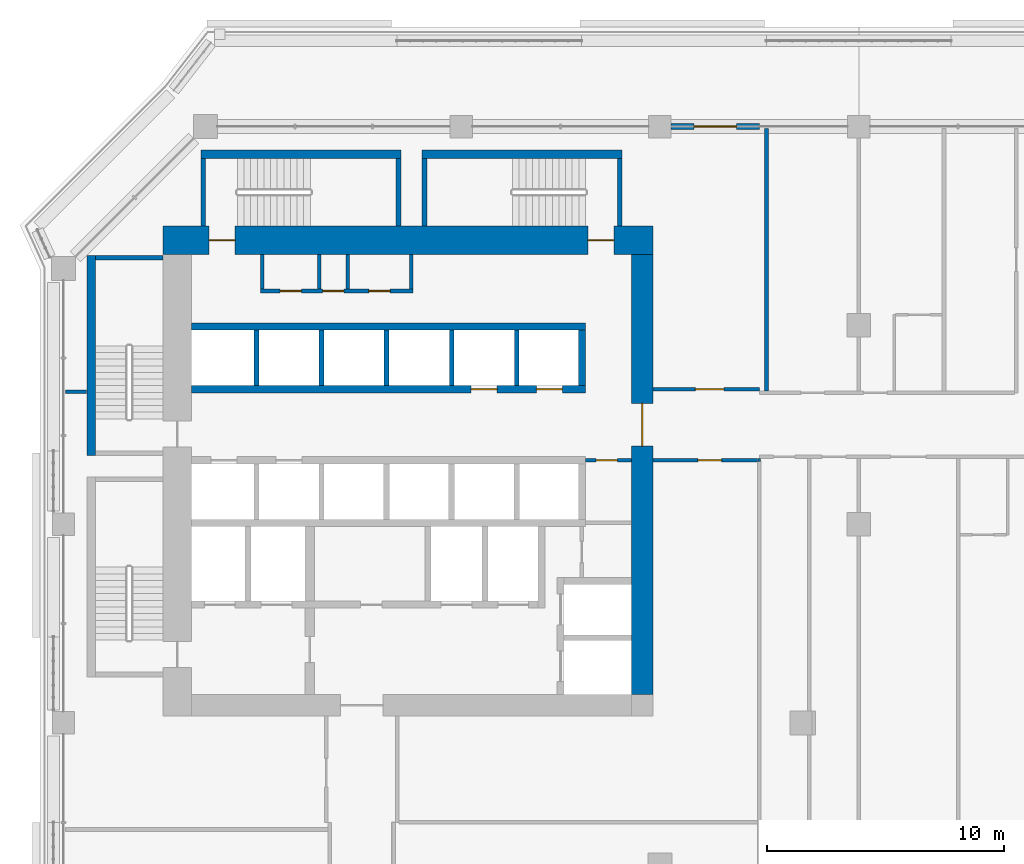
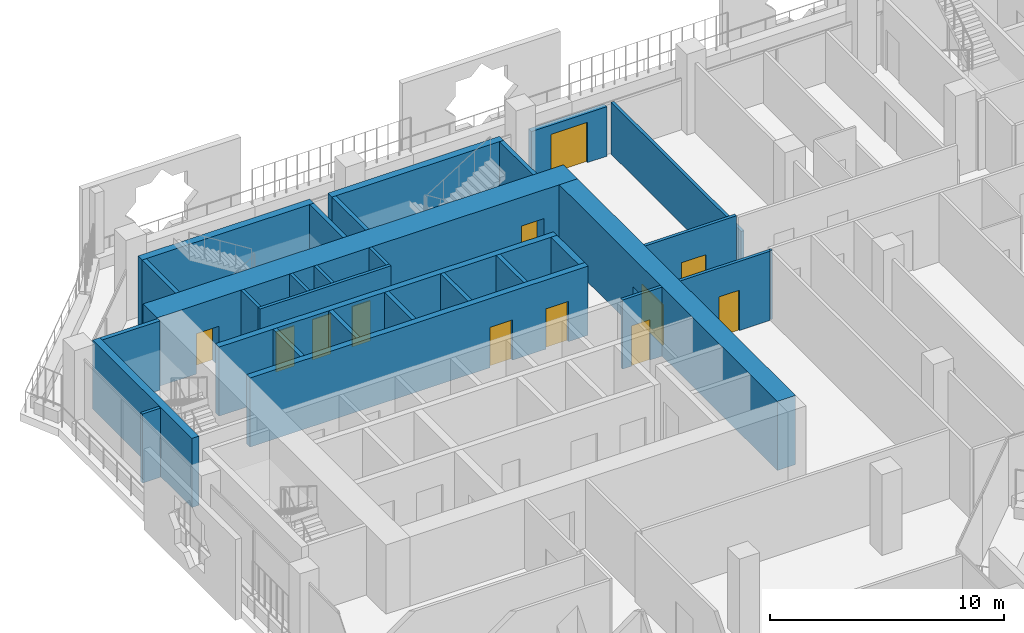
# One storey, part 13 of 24: 30 walls, 12 doors, 12 openings.
"""IFC4 building model written with IfcOpenShell, lengths in metres."""

from ifc_helpers import new_model, si_unit, direction, frame, frame_2d, origin, place, context, subcontext, project, spatial, rectangle, extrude, material, layer, layer_set, type_object, element, fill, save


model = new_model("IFC4")

# Units and contexts
model_context = context("Model", 3, precision=1e-05, world=origin(), true_north=direction((0.0, 1.0)))
body_context = subcontext(model_context, "Body", "Model", "MODEL_VIEW")
ifc_project = project(units=[si_unit("LENGTHUNIT", "METRE"), si_unit("AREAUNIT", "SQUARE_METRE"), si_unit("VOLUMEUNIT", "CUBIC_METRE"), si_unit("PLANEANGLEUNIT", "RADIAN"), si_unit("MASSUNIT", "GRAM", prefix="KILO")], contexts=[model_context])

# Site, building, storey
site_placement = place(None, origin())
site = spatial("IfcSite", under=ifc_project, at=site_placement, CompositionType="ELEMENT")
building_placement = place(site_placement, origin())
building = spatial("IfcBuilding", under=site, at=building_placement, Name="Kawkab Arch Medical Tower", CompositionType="ELEMENT")
storey_placement = place(building_placement, frame((0.0, 0.0, 162.60009765625)))
storey = spatial("IfcBuildingStorey", under=building, at=storey_placement, Name="L37", CompositionType="ELEMENT", Elevation=162.60009765625)

# Wall, openings, doors
ifc_material_1 = material(Name="Concrete C55/67", Category="concrete")
ifc_layer_1 = layer(ifc_material_1, 1.199951171875)
ifc_layer_set_1 = layer_set([ifc_layer_1], Name="Concrete C55/67")
wall_type_1 = type_object("IfcWallType", Name="Core ring wall 1200 C55/67", PredefinedType="SHEAR", material=ifc_layer_set_1)
wall_1_placement = place(storey_placement, frame((4.199951171875, -4.800048828125, 0.0), z_axis=(0.0, 0.0, 1.0), x_axis=(1.0, 0.0, 0.0)))
wall_1 = element("IfcWall", 1, at=wall_1_placement, inside=storey, type_object=wall_type_1, Name="L37 core wall", PredefinedType="SHEAR", context=body_context, shape_type="SweptSolid", body=[
    extrude(rectangle(XDim=20.699951171875, YDim=1.199951171875, at=frame_2d((10.35009765625, 0.0))), origin(), (0.0, 0.0, 1.0), 3.599853515625),
])
opening_1_placement = place(wall_1_placement, frame((1.949951171875, 0.0, 0.0)))
opening_1 = element("IfcOpeningElement", 2, at=opening_1_placement, cuts=wall_1, Name="Opening SD", PredefinedType="OPENING", context=body_context, shape_type="SweptSolid", body=[
    extrude(rectangle(XDim=1.10009765625, YDim=2.10009765625, at=frame_2d((0.550048828125, 1.050048828125))), frame((0.0, 0.60986328125, 0.0), z_axis=(0.0, -1.0, 0.0), x_axis=(1.0, 0.0, 0.0)), (0.0, 0.0, 1.0), 1.219970703125),
])
opening_2_placement = place(wall_1_placement, frame((17.949951171875, 0.0, 0.0)))
opening_2 = element("IfcOpeningElement", 3, at=opening_2_placement, cuts=wall_1, Name="Opening SD", PredefinedType="OPENING", context=body_context, shape_type="SweptSolid", body=[
    extrude(rectangle(XDim=1.10009765625, YDim=2.10009765625, at=frame_2d((0.550048828125, 1.050048828125))), frame((0.0, 0.60986328125, 0.0), z_axis=(0.0, -1.0, 0.0), x_axis=(1.0, 0.0, 0.0)), (0.0, 0.0, 1.0), 1.219970703125),
])
ifc_material_2 = material(Name="Hollow metal fire door leaf")
door_type_1 = type_object("IfcDoorType", Name="Exit stair door 1100", OperationType="SINGLE_SWING_LEFT", PredefinedType="DOOR", material=ifc_material_2)
door_1_placement = place(opening_1_placement, origin())
door_1 = element("IfcDoor", 4, at=door_1_placement, inside=storey, type_object=door_type_1, Name="L37 Exit stair ST3 door", OperationType="SINGLE_SWING_LEFT", OverallHeight=2.10009765625, OverallWidth=1.10009765625, PredefinedType="DOOR", context=body_context, shape_type="SweptSolid", body=[
    extrude(rectangle(XDim=1.10009765625, YDim=2.10009765625, at=frame_2d((0.550048828125, 1.050048828125))), frame((0.0, 0.02490234375, 0.0), z_axis=(0.0, -1.0, 0.0), x_axis=(1.0, 0.0, 0.0)), (0.0, 0.0, 1.0), 0.050048828125),
])
fill(opening_1, door_1)
door_2_placement = place(opening_2_placement, origin())
door_2 = element("IfcDoor", 5, at=door_2_placement, inside=storey, type_object=door_type_1, Name="L37 Exit stair ST4 door", OperationType="SINGLE_SWING_LEFT", OverallHeight=2.10009765625, OverallWidth=1.10009765625, PredefinedType="DOOR", context=body_context, shape_type="SweptSolid", body=[
    extrude(rectangle(XDim=1.10009765625, YDim=2.10009765625, at=frame_2d((0.550048828125, 1.050048828125))), frame((0.0, 0.02490234375, 0.0), z_axis=(0.0, -1.0, 0.0), x_axis=(1.0, 0.0, 0.0)), (0.0, 0.0, 1.0), 0.050048828125),
])
fill(opening_2, door_2)

# Wall, opening, door
ifc_material_3 = material(Name="Concrete C55/67", Category="concrete")
ifc_layer_2 = layer(ifc_material_3, 0.89990234375)
ifc_layer_set_2 = layer_set([ifc_layer_2], Name="Concrete C55/67")
wall_type_2 = type_object("IfcWallType", Name="Core ring wall 900 C55/67", PredefinedType="SHEAR", material=ifc_layer_set_2)
wall_2_placement = place(storey_placement, frame((24.449951171875, -24.0, 0.0), z_axis=(0.0, 0.0, 1.0), x_axis=(0.0, 1.0, 0.0)))
wall_2 = element("IfcWall", 6, at=wall_2_placement, inside=storey, type_object=wall_type_2, Name="L37 core wall", PredefinedType="SHEAR", context=body_context, shape_type="SweptSolid", body=[
    extrude(rectangle(XDim=18.60009765625, YDim=0.89990234375, at=frame_2d((9.300048828125, 0.0))), origin(), (0.0, 0.0, 1.0), 3.599853515625),
])
opening_3_placement = place(wall_2_placement, frame((10.5, 0.0, 0.0)))
opening_3 = element("IfcOpeningElement", 7, at=opening_3_placement, cuts=wall_2, Name="Opening PD", PredefinedType="OPENING", context=body_context, shape_type="SweptSolid", body=[
    extrude(rectangle(XDim=1.800048828125, YDim=2.10009765625, at=frame_2d((0.89990234375, 1.050048828125))), frame((0.0, 0.4599609375, 0.0), z_axis=(0.0, -1.0, 0.0), x_axis=(1.0, 0.0, 0.0)), (0.0, 0.0, 1.0), 0.919921875),
])
ifc_material_4 = material(Name="Hollow metal fire door leaf")
door_type_2 = type_object("IfcDoorType", Name="Core entrance doors 1800", OperationType="DOUBLE_DOOR_SINGLE_SWING", PredefinedType="DOOR", material=ifc_material_4)
door_3_placement = place(opening_3_placement, origin())
door_3 = element("IfcDoor", 8, at=door_3_placement, inside=storey, type_object=door_type_2, Name="L37 East entrance doors", OperationType="DOUBLE_DOOR_SINGLE_SWING", OverallHeight=2.10009765625, OverallWidth=1.800048828125, PredefinedType="DOOR", context=body_context, shape_type="SweptSolid", body=[
    extrude(rectangle(XDim=1.800048828125, YDim=2.10009765625, at=frame_2d((0.89990234375, 1.050048828125))), frame((0.0, 0.02490234375, 0.0), z_axis=(0.0, -1.0, 0.0), x_axis=(1.0, 0.0, 0.0)), (0.0, 0.0, 1.0), 0.050048828125),
])
fill(opening_3, door_3)

ifc_material_5 = material(Name="Gypsum board on steel studs", Category="steel")
ifc_layer_3 = layer(ifc_material_5, 0.14990234375)
ifc_layer_set_3 = layer_set([ifc_layer_3], Name="Gypsum board on steel studs")
wall_type_3 = type_object("IfcWallType", Name="Core room partition 150", PredefinedType="PARTITIONING", material=ifc_layer_set_3)
wall_3_placement = place(storey_placement, frame((22.050048828125, -14.10009765625, 0.0), z_axis=(0.0, 0.0, 1.0), x_axis=(1.0, 0.0, 0.0)))
wall_3 = element("IfcWall", 9, at=wall_3_placement, inside=storey, type_object=wall_type_3, Name="L37 core room partition", PredefinedType="PARTITIONING", context=body_context, shape_type="SweptSolid", body=[
    extrude(rectangle(XDim=1.949951171875, YDim=0.14990234375, at=frame_2d((0.97509765625, 0.0))), origin(), (0.0, 0.0, 1.0), 3.599853515625),
])
opening_4_placement = place(wall_3_placement, frame((0.449951171875, 0.0, 0.0)))
opening_4 = element("IfcOpeningElement", 10, at=opening_4_placement, cuts=wall_3, Name="Opening RD", PredefinedType="OPENING", context=body_context, shape_type="SweptSolid", body=[
    extrude(rectangle(XDim=0.89990234375, YDim=2.10009765625, at=frame_2d((0.449951171875, 1.050048828125))), frame((0.0, 0.0849609375, 0.0), z_axis=(0.0, -1.0, 0.0), x_axis=(1.0, 0.0, 0.0)), (0.0, 0.0, 1.0), 0.169921875),
])
ifc_material_6 = material(Name="Hollow metal fire door leaf")
door_type_3 = type_object("IfcDoorType", Name="Core room door 900", OperationType="SINGLE_SWING_LEFT", PredefinedType="DOOR", material=ifc_material_6)
door_4_placement = place(opening_4_placement, origin())
door_4 = element("IfcDoor", 11, at=door_4_placement, inside=storey, type_object=door_type_3, Name="L37 Medication store door", OperationType="SINGLE_SWING_LEFT", OverallHeight=2.10009765625, OverallWidth=0.89990234375, PredefinedType="DOOR", context=body_context, shape_type="SweptSolid", body=[
    extrude(rectangle(XDim=0.89990234375, YDim=2.10009765625, at=frame_2d((0.449951171875, 1.050048828125))), frame((0.0, 0.02490234375, 0.0), z_axis=(0.0, -1.0, 0.0), x_axis=(1.0, 0.0, 0.0)), (0.0, 0.0, 1.0), 0.050048828125),
])
fill(opening_4, door_4)

# Wall, openings, doors
wall_4_placement = place(storey_placement, frame((8.324951171875, -6.949951171875, 0.0), z_axis=(0.0, 0.0, 1.0), x_axis=(1.0, 0.0, 0.0)))
wall_4 = element("IfcWall", 12, at=wall_4_placement, inside=storey, type_object=wall_type_3, Name="L37 core room partition", PredefinedType="PARTITIONING", context=body_context, shape_type="SweptSolid", body=[
    extrude(rectangle(XDim=6.449951171875, YDim=0.14990234375, at=frame_2d((3.22509765625, 0.0))), origin(), (0.0, 0.0, 1.0), 3.599853515625),
])
opening_5_placement = place(wall_4_placement, frame((0.824951171875, 0.0, 0.0)))
opening_5 = element("IfcOpeningElement", 13, at=opening_5_placement, cuts=wall_4, Name="Opening RD", PredefinedType="OPENING", context=body_context, shape_type="SweptSolid", body=[
    extrude(rectangle(XDim=0.89990234375, YDim=2.10009765625, at=frame_2d((0.449951171875, 1.050048828125))), frame((0.0, 0.0849609375, 0.0), z_axis=(0.0, -1.0, 0.0), x_axis=(1.0, 0.0, 0.0)), (0.0, 0.0, 1.0), 0.169921875),
])
opening_6_placement = place(wall_4_placement, frame((2.625, 0.0, 0.0)))
opening_6 = element("IfcOpeningElement", 14, at=opening_6_placement, cuts=wall_4, Name="Opening RD", PredefinedType="OPENING", context=body_context, shape_type="SweptSolid", body=[
    extrude(rectangle(XDim=0.89990234375, YDim=2.10009765625, at=frame_2d((0.449951171875, 1.050048828125))), frame((0.0, 0.0849609375, 0.0), z_axis=(0.0, -1.0, 0.0), x_axis=(1.0, 0.0, 0.0)), (0.0, 0.0, 1.0), 0.169921875),
])
opening_7_placement = place(wall_4_placement, frame((4.574951171875, 0.0, 0.0)))
opening_7 = element("IfcOpeningElement", 15, at=opening_7_placement, cuts=wall_4, Name="Opening RD", PredefinedType="OPENING", context=body_context, shape_type="SweptSolid", body=[
    extrude(rectangle(XDim=0.89990234375, YDim=2.10009765625, at=frame_2d((0.449951171875, 1.050048828125))), frame((0.0, 0.0849609375, 0.0), z_axis=(0.0, -1.0, 0.0), x_axis=(1.0, 0.0, 0.0)), (0.0, 0.0, 1.0), 0.169921875),
])
door_5_placement = place(opening_5_placement, origin())
door_5 = element("IfcDoor", 16, at=door_5_placement, inside=storey, type_object=door_type_3, Name="L37 Housekeeping store door", OperationType="SINGLE_SWING_LEFT", OverallHeight=2.10009765625, OverallWidth=0.89990234375, PredefinedType="DOOR", context=body_context, shape_type="SweptSolid", body=[
    extrude(rectangle(XDim=0.89990234375, YDim=2.10009765625, at=frame_2d((0.449951171875, 1.050048828125))), frame((0.0, 0.02490234375, 0.0), z_axis=(0.0, -1.0, 0.0), x_axis=(1.0, 0.0, 0.0)), (0.0, 0.0, 1.0), 0.050048828125),
])
fill(opening_5, door_5)
door_6_placement = place(opening_6_placement, origin())
door_6 = element("IfcDoor", 17, at=door_6_placement, inside=storey, type_object=door_type_3, Name="L37 Electrical riser room door", OperationType="SINGLE_SWING_LEFT", OverallHeight=2.10009765625, OverallWidth=0.89990234375, PredefinedType="DOOR", context=body_context, shape_type="SweptSolid", body=[
    extrude(rectangle(XDim=0.89990234375, YDim=2.10009765625, at=frame_2d((0.449951171875, 1.050048828125))), frame((0.0, 0.02490234375, 0.0), z_axis=(0.0, -1.0, 0.0), x_axis=(1.0, 0.0, 0.0)), (0.0, 0.0, 1.0), 0.050048828125),
])
fill(opening_6, door_6)
door_7_placement = place(opening_7_placement, origin())
door_7 = element("IfcDoor", 18, at=door_7_placement, inside=storey, type_object=door_type_3, Name="L37 Equipment store door", OperationType="SINGLE_SWING_LEFT", OverallHeight=2.10009765625, OverallWidth=0.89990234375, PredefinedType="DOOR", context=body_context, shape_type="SweptSolid", body=[
    extrude(rectangle(XDim=0.89990234375, YDim=2.10009765625, at=frame_2d((0.449951171875, 1.050048828125))), frame((0.0, 0.02490234375, 0.0), z_axis=(0.0, -1.0, 0.0), x_axis=(1.0, 0.0, 0.0)), (0.0, 0.0, 1.0), 0.050048828125),
])
fill(opening_7, door_7)

# Walls
for number, where, z_axis, x_axis, name in (
    (19, (8.39990234375, -6.875, 0.0), (0.0, 0.0, 1.0), (0.0, 1.0, 0.0), "L37 core room partition"),
    (20, (10.800048828125, -6.875, 0.0), (0.0, 0.0, 1.0), (0.0, 1.0, 0.0), "L37 core room partition"),
    (21, (12.0, -6.875, 0.0), (0.0, 0.0, 1.0), (0.0, 1.0, 0.0), "L37 core room partition"),
    (22, (14.699951171875, -6.875, 0.0), (0.0, 0.0, 1.0), (0.0, 1.0, 0.0), "L37 core room partition"),
):
    element("IfcWall", number, at=place(storey_placement, frame(where, z_axis=z_axis, x_axis=x_axis)), inside=storey, type_object=wall_type_3, Name=name, PredefinedType="PARTITIONING", context=body_context, shape_type="SweptSolid", body=[
        extrude(rectangle(XDim=1.47509765625, YDim=0.14990234375, at=frame_2d((0.737548828125, 0.0))), origin(), (0.0, 0.0, 1.0), 3.599853515625),
    ])
ifc_material_7 = material(Name="Concrete C60/75", Category="concrete")
ifc_layer_4 = layer(ifc_material_7, 0.300048828125)
ifc_layer_set_4 = layer_set([ifc_layer_4], Name="Concrete C60/75")
wall_type_4 = type_object("IfcWallType", Name="Core shear wall 300 C60/75", PredefinedType="SHEAR", material=ifc_layer_set_4)
wall_5_placement = place(storey_placement, frame((5.39990234375, -8.449951171875, 0.0), z_axis=(0.0, 0.0, 1.0), x_axis=(1.0, 0.0, 0.0)))
element("IfcWall", 23, at=wall_5_placement, inside=storey, type_object=wall_type_4, Name="L37 core shear wall", PredefinedType="SHEAR", context=body_context, shape_type="SweptSolid", body=[
    extrude(rectangle(XDim=16.650146484375, YDim=0.300048828125, at=frame_2d((8.3251953125, 0.0))), origin(), (0.0, 0.0, 1.0), 3.599853515625),
])

# Wall, openings, doors
wall_6_placement = place(storey_placement, frame((5.39990234375, -11.10009765625, 0.0), z_axis=(0.0, 0.0, 1.0), x_axis=(1.0, 0.0, 0.0)))
wall_6 = element("IfcWall", 24, at=wall_6_placement, inside=storey, type_object=wall_type_4, Name="L37 core shear wall", PredefinedType="SHEAR", context=body_context, shape_type="SweptSolid", body=[
    extrude(rectangle(XDim=16.650146484375, YDim=0.300048828125, at=frame_2d((8.3251953125, 0.0))), origin(), (0.0, 0.0, 1.0), 3.599853515625),
])
opening_8_placement = place(wall_6_placement, frame((11.824951171875, 0.0, 0.0)))
opening_8 = element("IfcOpeningElement", 25, at=opening_8_placement, cuts=wall_6, Name="Opening LD1", PredefinedType="OPENING", context=body_context, shape_type="SweptSolid", body=[
    extrude(rectangle(XDim=1.10009765625, YDim=2.10009765625, at=frame_2d((0.550048828125, 1.050048828125))), frame((0.0, 0.159912109375, 0.0), z_axis=(0.0, -1.0, 0.0), x_axis=(1.0, 0.0, 0.0)), (0.0, 0.0, 1.0), 0.320068359375),
])
opening_9_placement = place(wall_6_placement, frame((14.574951171875, 0.0, 0.0)))
opening_9 = element("IfcOpeningElement", 26, at=opening_9_placement, cuts=wall_6, Name="Opening LD1", PredefinedType="OPENING", context=body_context, shape_type="SweptSolid", body=[
    extrude(rectangle(XDim=1.10009765625, YDim=2.10009765625, at=frame_2d((0.550048828125, 1.050048828125))), frame((0.0, 0.159912109375, 0.0), z_axis=(0.0, -1.0, 0.0), x_axis=(1.0, 0.0, 0.0)), (0.0, 0.0, 1.0), 0.320068359375),
])
ifc_material_8 = material(Name="Stainless steel lift door leaf", Category="steel")
door_type_4 = type_object("IfcDoorType", Name="Lift landing door 1100", OperationType="DOUBLE_DOOR_SLIDING", PredefinedType="DOOR", material=ifc_material_8)
door_8_placement = place(opening_8_placement, origin())
door_8 = element("IfcDoor", 27, at=door_8_placement, inside=storey, type_object=door_type_4, Name="L37 Lift landing door MP1", OperationType="DOUBLE_DOOR_SLIDING", OverallHeight=2.10009765625, OverallWidth=1.10009765625, PredefinedType="DOOR", context=body_context, shape_type="SweptSolid", body=[
    extrude(rectangle(XDim=1.10009765625, YDim=2.10009765625, at=frame_2d((0.550048828125, 1.050048828125))), frame((0.0, 0.02490234375, 0.0), z_axis=(0.0, -1.0, 0.0), x_axis=(1.0, 0.0, 0.0)), (0.0, 0.0, 1.0), 0.050048828125),
])
fill(opening_8, door_8)
door_9_placement = place(opening_9_placement, origin())
door_9 = element("IfcDoor", 28, at=door_9_placement, inside=storey, type_object=door_type_4, Name="L37 Lift landing door MP2", OperationType="DOUBLE_DOOR_SLIDING", OverallHeight=2.10009765625, OverallWidth=1.10009765625, PredefinedType="DOOR", context=body_context, shape_type="SweptSolid", body=[
    extrude(rectangle(XDim=1.10009765625, YDim=2.10009765625, at=frame_2d((0.550048828125, 1.050048828125))), frame((0.0, 0.02490234375, 0.0), z_axis=(0.0, -1.0, 0.0), x_axis=(1.0, 0.0, 0.0)), (0.0, 0.0, 1.0), 0.050048828125),
])
fill(opening_9, door_9)

# Wall
wall_7_placement = place(storey_placement, frame((21.89990234375, -10.949951171875, 0.0), z_axis=(0.0, 0.0, 1.0), x_axis=(0.0, 1.0, 0.0)))
element("IfcWall", 29, at=wall_7_placement, inside=storey, type_object=wall_type_4, Name="L37 core shear wall", PredefinedType="SHEAR", context=body_context, shape_type="SweptSolid", body=[
    extrude(rectangle(XDim=2.349853515625, YDim=0.300048828125, at=frame_2d((1.1748046875, 0.0))), origin(), (0.0, 0.0, 1.0), 3.599853515625),
])

# Wall, opening, door
ifc_material_9 = material(Name="Bronze clad insulated wall panel")
ifc_layer_5 = layer(ifc_material_9, 0.25)
ifc_layer_set_5 = layer_set([ifc_layer_5], Name="Bronze clad insulated wall panel")
wall_type_5 = type_object("IfcWallType", Name="External wall bay 250", PredefinedType="SOLIDWALL", material=ifc_layer_set_5)
wall_8_placement = place(storey_placement, frame((29.39990234375, 0.0, 0.0), z_axis=(0.0, 0.0, 1.0), x_axis=(-1.0, 0.0, 0.0)))
wall_8 = element("IfcWall", 30, at=wall_8_placement, inside=storey, type_object=wall_type_5, Name="External wall bay L37.R09.4.2", PredefinedType="SOLIDWALL", context=body_context, shape_type="SweptSolid", body=[
    extrude(rectangle(XDim=3.724853515625, YDim=0.25, at=frame_2d((1.8623046875, 0.0))), origin(), (0.0, 0.0, 1.0), 2.579833984375),
])
opening_10_placement = place(wall_8_placement, frame((0.96240234375, 0.0, 0.0)))
opening_10 = element("IfcOpeningElement", 31, at=opening_10_placement, cuts=wall_8, Name="Opening B37-701", PredefinedType="OPENING", context=body_context, shape_type="SweptSolid", body=[
    extrude(rectangle(XDim=1.800048828125, YDim=2.10009765625, at=frame_2d((0.89990234375, 1.050048828125))), frame((0.0, 0.135009765625, 0.0), z_axis=(0.0, -1.0, 0.0), x_axis=(1.0, 0.0, 0.0)), (0.0, 0.0, 1.0), 0.27001953125),
])
ifc_material_10 = material(Name="Bronze anodised aluminium door with tinted glass", Category="aluminium")
door_type_5 = type_object("IfcDoorType", Name="Double external door 1800 x 2100", OperationType="DOUBLE_DOOR_SINGLE_SWING", PredefinedType="DOOR", material=ifc_material_10)
door_10_placement = place(opening_10_placement, origin())
door_10 = element("IfcDoor", 32, at=door_10_placement, inside=storey, type_object=door_type_5, Name="External door L37.R09.4.2", OperationType="DOUBLE_DOOR_SINGLE_SWING", OverallHeight=2.10009765625, OverallWidth=1.800048828125, PredefinedType="DOOR", context=body_context, shape_type="SweptSolid", body=[
    extrude(rectangle(XDim=1.800048828125, YDim=2.10009765625, at=frame_2d((0.89990234375, 1.050048828125))), frame((0.0, 0.02490234375, 0.0), z_axis=(0.0, -1.0, 0.0), x_axis=(1.0, 0.0, 0.0)), (0.0, 0.0, 1.0), 0.050048828125),
])
fill(opening_10, door_10)

# Walls
ifc_material_11 = material(Name="Dense concrete blockwork", Category="masonry")
ifc_layer_6 = layer(ifc_material_11, 0.199951171875)
ifc_layer_set_6 = layer_set([ifc_layer_6], Name="Dense concrete blockwork")
wall_type_6 = type_object("IfcWallType", Name="Lift shaft partition 200", PredefinedType="PARTITIONING", material=ifc_layer_set_6)
for number, where, z_axis, x_axis, name in (
    (33, (8.14990234375, -10.949951171875, 0.0), (0.0, 0.0, 1.0), (0.0, 1.0, 0.0), "L37 lift shaft partition"),
    (34, (10.89990234375, -10.949951171875, 0.0), (0.0, 0.0, 1.0), (0.0, 1.0, 0.0), "L37 lift shaft partition"),
    (35, (13.64990234375, -10.949951171875, 0.0), (0.0, 0.0, 1.0), (0.0, 1.0, 0.0), "L37 lift shaft partition"),
    (36, (16.39990234375, -10.949951171875, 0.0), (0.0, 0.0, 1.0), (0.0, 1.0, 0.0), "L37 lift shaft partition"),
    (37, (19.14990234375, -10.949951171875, 0.0), (0.0, 0.0, 1.0), (0.0, 1.0, 0.0), "L37 lift shaft partition"),
):
    element("IfcWall", number, at=place(storey_placement, frame(where, z_axis=z_axis, x_axis=x_axis)), inside=storey, type_object=wall_type_6, Name=name, PredefinedType="PARTITIONING", context=body_context, shape_type="SweptSolid", body=[
        extrude(rectangle(XDim=2.349853515625, YDim=0.199951171875, at=frame_2d((1.1748046875, 0.0))), origin(), (0.0, 0.0, 1.0), 3.599853515625),
    ])
ifc_material_12 = material(Name="Gypsum board partition on steel studs", Category="steel")
ifc_layer_7 = layer(ifc_material_12, 0.10009765625)
ifc_layer_set_7 = layer_set([ifc_layer_7], Name="Gypsum board partition on steel studs")
wall_type_7 = type_object("IfcWallType", Name="Partition 100", PredefinedType="PARTITIONING", material=ifc_layer_set_7)
wall_9_placement = place(storey_placement, frame((29.39990234375, -14.14697265625, 0.0), z_axis=(0.0, 0.0, 1.0), x_axis=(0.0, 1.0, 0.0)))
element("IfcWall", 38, at=wall_9_placement, inside=storey, type_object=wall_type_7, Name="Partition 100 w013", PredefinedType="PARTITIONING", context=body_context, shape_type="SweptSolid", body=[
    extrude(rectangle(XDim=0.119873046875, YDim=0.10009765625, at=frame_2d((0.06005859375, 0.0))), origin(), (0.0, 0.0, 1.0), 3.599853515625),
])

# Wall, opening, door
ifc_material_13 = material(Name="Gypsum board partition on steel studs, mineral wool", Category="steel")
ifc_layer_8 = layer(ifc_material_13, 0.14990234375)
ifc_layer_set_8 = layer_set([ifc_layer_8], Name="Gypsum board partition on steel studs, mineral wool")
wall_type_8 = type_object("IfcWallType", Name="Partition 150", PredefinedType="PARTITIONING", material=ifc_layer_set_8)
wall_10_placement = place(storey_placement, frame((24.89990234375, -14.10009765625, 0.0), z_axis=(0.0, 0.0, 1.0), x_axis=(1.0, 0.0, 0.0)))
wall_10 = element("IfcWall", 39, at=wall_10_placement, inside=storey, type_object=wall_type_8, Name="Partition 150 w035", PredefinedType="PARTITIONING", context=body_context, shape_type="SweptSolid", body=[
    extrude(rectangle(XDim=4.425048828125, YDim=0.14990234375, at=frame_2d((2.21240234375, 0.0))), origin(), (0.0, 0.0, 1.0), 3.599853515625),
])
opening_11_placement = place(wall_10_placement, frame((1.89990234375, 0.0, 0.0)))
opening_11 = element("IfcOpeningElement", 40, at=opening_11_placement, cuts=wall_10, Name="Opening B37-017", PredefinedType="OPENING", context=body_context, shape_type="SweptSolid", body=[
    extrude(rectangle(XDim=1.0, YDim=2.10009765625, at=frame_2d((0.5, 1.050048828125))), frame((0.0, 0.0849609375, 0.0), z_axis=(0.0, -1.0, 0.0), x_axis=(1.0, 0.0, 0.0)), (0.0, 0.0, 1.0), 0.169921875),
])
ifc_material_14 = material(Name="Hollow metal door leaf")
door_type_6 = type_object("IfcDoorType", Name="Single door 1000x2100 FD30S", OperationType="NOTDEFINED", PredefinedType="DOOR", material=ifc_material_14)
door_11_placement = place(opening_11_placement, origin())
door_11 = element("IfcDoor", 41, at=door_11_placement, inside=storey, type_object=door_type_6, Name="Door B37-017", OperationType="SINGLE_SWING_RIGHT", OverallHeight=2.10009765625, OverallWidth=1.0, PredefinedType="DOOR", context=body_context, shape_type="SweptSolid", body=[
    extrude(rectangle(XDim=1.0, YDim=2.10009765625, at=frame_2d((0.5, 1.050048828125))), frame((0.0, 0.02490234375, 0.0), z_axis=(0.0, -1.0, 0.0), x_axis=(1.0, 0.0, 0.0)), (0.0, 0.0, 1.0), 0.050048828125),
])
fill(opening_11, door_11)

# Wall
wall_11_placement = place(storey_placement, frame((0.080078125, -11.199951171875, 0.0), z_axis=(0.0, 0.0, 1.0), x_axis=(1.0, 0.0, 0.0)))
element("IfcWall", 42, at=wall_11_placement, inside=storey, type_object=wall_type_8, Name="Partition 150 w040", PredefinedType="PARTITIONING", context=body_context, shape_type="SweptSolid", body=[
    extrude(rectangle(XDim=0.889892578125, YDim=0.14990234375, at=frame_2d((0.44482421875, 0.0))), origin(), (0.0, 0.0, 1.0), 3.599853515625),
])

# Wall, opening, door
wall_12_placement = place(storey_placement, frame((24.89990234375, -11.10009765625, 0.0), z_axis=(0.0, 0.0, 1.0), x_axis=(1.0, 0.0, 0.0)))
wall_12 = element("IfcWall", 43, at=wall_12_placement, inside=storey, type_object=wall_type_8, Name="Partition 150 w041", PredefinedType="PARTITIONING", context=body_context, shape_type="SweptSolid", body=[
    extrude(rectangle(XDim=4.498046875, YDim=0.14990234375, at=frame_2d((2.2490234375, 0.0))), origin(), (0.0, 0.0, 1.0), 3.599853515625),
])
opening_12_placement = place(wall_12_placement, frame((1.799072265625, 0.0, 0.0)))
opening_12 = element("IfcOpeningElement", 44, at=opening_12_placement, cuts=wall_12, Name="Opening B37-040", PredefinedType="OPENING", context=body_context, shape_type="SweptSolid", body=[
    extrude(rectangle(XDim=1.199951171875, YDim=2.10009765625, at=frame_2d((0.60009765625, 1.050048828125))), frame((0.0, 0.0849609375, 0.0), z_axis=(0.0, -1.0, 0.0), x_axis=(1.0, 0.0, 0.0)), (0.0, 0.0, 1.0), 0.169921875),
])
ifc_material_15 = material(Name="Hollow metal door leaf")
door_type_7 = type_object("IfcDoorType", Name="Single door 1200x2100 FD30S", OperationType="NOTDEFINED", PredefinedType="DOOR", material=ifc_material_15)
door_12_placement = place(opening_12_placement, origin())
door_12 = element("IfcDoor", 45, at=door_12_placement, inside=storey, type_object=door_type_7, Name="Door B37-040", OperationType="SINGLE_SWING_RIGHT", OverallHeight=2.10009765625, OverallWidth=1.199951171875, PredefinedType="DOOR", context=body_context, shape_type="SweptSolid", body=[
    extrude(rectangle(XDim=1.199951171875, YDim=2.10009765625, at=frame_2d((0.60009765625, 1.050048828125))), frame((0.0, 0.02490234375, 0.0), z_axis=(0.0, -1.0, 0.0), x_axis=(1.0, 0.0, 0.0)), (0.0, 0.0, 1.0), 0.050048828125),
])
fill(opening_12, door_12)

# Walls
wall_13_placement = place(storey_placement, frame((29.699951171875, -11.175048828125, 0.0), z_axis=(0.0, 0.0, 1.0), x_axis=(0.0, 1.0, 0.0)))
element("IfcWall", 46, at=wall_13_placement, inside=storey, type_object=wall_type_8, Name="Partition 150 w054", PredefinedType="PARTITIONING", context=body_context, shape_type="SweptSolid", body=[
    extrude(rectangle(XDim=11.094970703125, YDim=0.14990234375, at=frame_2d((5.54736328125, 0.0))), origin(), (0.0, 0.0, 1.0), 2.699951171875),
])
ifc_material_16 = material(Name="Concrete C50/60", Category="concrete")
ifc_layer_9 = layer(ifc_material_16, 0.199951171875)
ifc_layer_set_9 = layer_set([ifc_layer_9], Name="Concrete C50/60")
wall_type_9 = type_object("IfcWallType", Name="Stair enclosure wall 200 C50/60", PredefinedType="SHEAR", material=ifc_layer_set_9)
for number, where, z_axis, x_axis, name in (
    (47, (1.35009765625, -5.550048828125, 0.0), (0.0, 0.0, 1.0), (1.0, 0.0, 0.0), "L37 stair enclosure wall"),
    (48, (5.89990234375, -4.199951171875, 0.0), (0.0, 0.0, 1.0), (0.0, 1.0, 0.0), "L37 stair enclosure wall"),
    (49, (14.14990234375, -4.199951171875, 0.0), (0.0, 0.0, 1.0), (0.0, 1.0, 0.0), "L37 stair enclosure wall"),
    (50, (15.25, -4.199951171875, 0.0), (0.0, 0.0, 1.0), (0.0, 1.0, 0.0), "L37 stair enclosure wall"),
    (51, (23.5, -4.199951171875, 0.0), (0.0, 0.0, 1.0), (0.0, 1.0, 0.0), "L37 stair enclosure wall"),
):
    element("IfcWall", number, at=place(storey_placement, frame(where, z_axis=z_axis, x_axis=x_axis)), inside=storey, type_object=wall_type_9, Name=name, PredefinedType="SHEAR", context=body_context, shape_type="SweptSolid", body=[
        extrude(rectangle(XDim=2.849853515625, YDim=0.199951171875, at=frame_2d((1.4248046875, 0.0))), origin(), (0.0, 0.0, 1.0), 3.599853515625),
    ])
ifc_material_17 = material(Name="Concrete C50/60", Category="concrete")
ifc_layer_10 = layer(ifc_material_17, 0.35009765625)
ifc_layer_set_10 = layer_set([ifc_layer_10], Name="Concrete C50/60")
wall_type_10 = type_object("IfcWallType", Name="Stair enclosure wall 350 C50/60", PredefinedType="SHEAR", material=ifc_layer_set_10)
for number, where, z_axis, x_axis, name in (
    (52, (1.175048828125, -13.89990234375, 0.0), (0.0, 0.0, 1.0), (0.0, 1.0, 0.0), "L37 stair enclosure wall"),
    (53, (5.800048828125, -1.175048828125, 0.0), (0.0, 0.0, 1.0), (1.0, 0.0, 0.0), "L37 stair enclosure wall"),
):
    element("IfcWall", number, at=place(storey_placement, frame(where, z_axis=z_axis, x_axis=x_axis)), inside=storey, type_object=wall_type_10, Name=name, PredefinedType="SHEAR", context=body_context, shape_type="SweptSolid", body=[
        extrude(rectangle(XDim=8.449951171875, YDim=0.35009765625, at=frame_2d((4.22509765625, 0.0))), origin(), (0.0, 0.0, 1.0), 3.599853515625),
    ])
wall_14_placement = place(storey_placement, frame((15.14990234375, -1.175048828125, 0.0), z_axis=(0.0, 0.0, 1.0), x_axis=(1.0, 0.0, 0.0)))
element("IfcWall", 54, at=wall_14_placement, inside=storey, type_object=wall_type_10, Name="L37 stair enclosure wall", PredefinedType="SHEAR", context=body_context, shape_type="SweptSolid", body=[
    extrude(rectangle(XDim=8.4501953125, YDim=0.35009765625, at=frame_2d((4.22509765625, 0.0))), origin(), (0.0, 0.0, 1.0), 3.599853515625),
])

save(model, "model.ifc")
